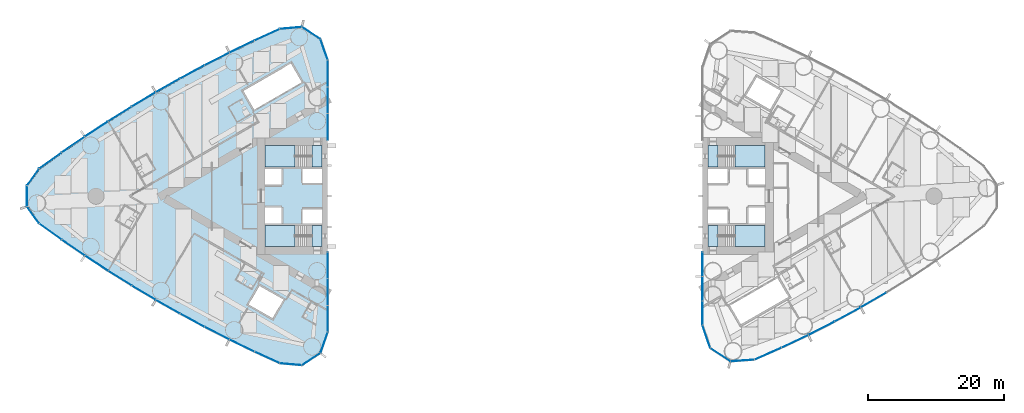
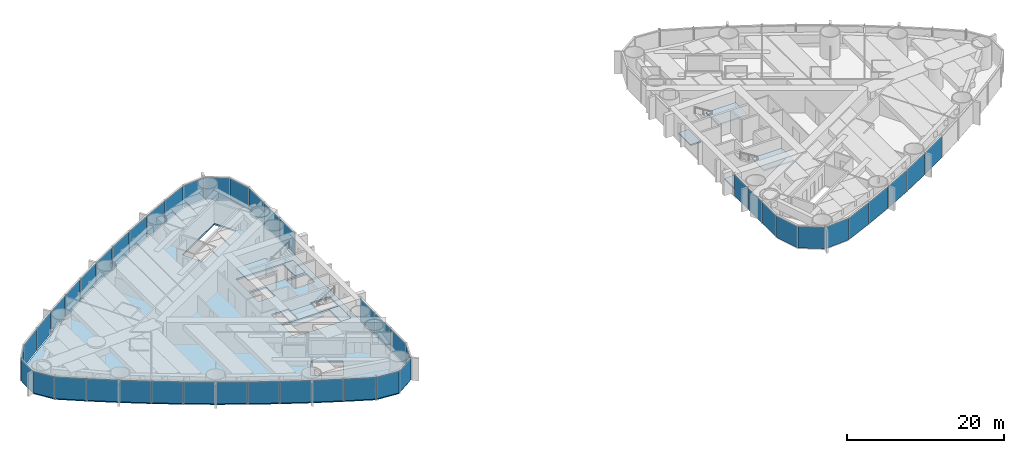
# One storey, part 9 of 18: 46 plates, 9 slabs, 6 elements without a shape of their own.
"""IFC4 building model written with IfcOpenShell, lengths in metres."""

from ifc_helpers import new_model, si_unit, direction, frame, origin, origin_2d, place, context, subcontext, project, spatial, polyline, rectangle, outline, extrude, material, layer, layer_set, type_object, element, aggregate, save


model = new_model("IFC4")

# Units and contexts
model_context = context("Model", 3, precision=1e-05, world=origin(), true_north=direction((0.0, 1.0)))
body_context = subcontext(model_context, "Body", "Model", "MODEL_VIEW")
ifc_project = project(units=[si_unit("LENGTHUNIT", "METRE"), si_unit("AREAUNIT", "SQUARE_METRE"), si_unit("VOLUMEUNIT", "CUBIC_METRE"), si_unit("PLANEANGLEUNIT", "RADIAN"), si_unit("MASSUNIT", "GRAM", prefix="KILO")], contexts=[model_context])

# Site, building, storey
site_placement = place(None, origin())
site = spatial("IfcSite", under=ifc_project, at=site_placement, CompositionType="ELEMENT")
building_placement = place(site_placement, origin())
building = spatial("IfcBuilding", under=site, at=building_placement, Name="Lancet Gate Hotel", CompositionType="ELEMENT")
storey_placement = place(building_placement, frame((0.0, 0.0, 139.60009765625)))
storey = spatial("IfcBuildingStorey", under=building, at=storey_placement, Name="L37", CompositionType="ELEMENT", Elevation=139.60009765625)

# Slab
ifc_material_1 = material(Name="Concrete C50/60", Category="concrete")
ifc_layer_1 = layer(ifc_material_1, 0.25)
ifc_layer_set_1 = layer_set([ifc_layer_1], Name="Floor slab 250")
slab_type_1 = type_object("IfcSlabType", Name="Floor slab 250", PredefinedType="FLOOR", material=ifc_layer_set_1)
slab_1_placement = place(storey_placement, frame((0.0, 0.0, -0.25)))
element("IfcSlab", 1, at=slab_1_placement, inside=storey, type_object=slab_type_1, Name="T1 L37 floor slab", PredefinedType="FLOOR", context=body_context, shape_type="SweptSolid", body=[
    extrude(outline(polyline([(-27.5, 8.60009765625), (-27.6201171875, 8.60009765625), (-27.6201171875, 19.950927734375), (-28.65966796875, 22.970947265625), (-31.320068359375, 24.69921875), (-34.5009765625, 24.421630859375), (-38.201416015625, 22.727783203125), (-41.8818359375, 20.946044921875), (-45.523193359375, 19.085693359375), (-49.12353515625, 17.147216796875), (-52.681396484375, 15.131591796875), (-56.195068359375, 13.0400390625), (-59.662841796875, 10.873291015625), (-63.0830078125, 8.63232421875), (-66.454345703125, 6.318115234375), (-69.76025390625, 3.94287109375), (-71.523193359375, 1.49755859375), (-71.523193359375, -1.49755859375), (-69.76025390625, -3.94287109375), (-66.454345703125, -6.318115234375), (-63.0830078125, -8.63232421875), (-59.662841796875, -10.873291015625), (-56.195068359375, -13.0400390625), (-52.681396484375, -15.131591796875), (-49.12353515625, -17.147216796875), (-45.523193359375, -19.085693359375), (-41.8818359375, -20.946044921875), (-38.201416015625, -22.727783203125), (-34.5009765625, -24.421630859375), (-31.320068359375, -24.69921875), (-28.65966796875, -22.970947265625), (-27.6201171875, -19.950927734375), (-27.6201171875, -8.60009765625), (-27.5, -8.60009765625), (-27.5, -8.199951171875), (-27.5, 8.199951171875), (-27.5, 8.60009765625)]), holes=[polyline([(-36.699951171875, 7.39990234375), (-36.699951171875, 4.300048828125), (-28.300048828125, 4.300048828125), (-28.300048828125, 7.39990234375), (-36.699951171875, 7.39990234375)]), polyline([(-28.300048828125, 4.0), (-31.199951171875, 4.0), (-31.199951171875, 1.89990234375), (-28.300048828125, 1.89990234375), (-28.300048828125, 4.0)]), polyline([(-34.25, 4.0), (-36.699951171875, 4.0), (-36.699951171875, 1.64990234375), (-34.25, 1.64990234375), (-34.25, 4.0)]), polyline([(-36.699951171875, -1.64990234375), (-36.699951171875, -4.0), (-34.25, -4.0), (-34.25, -1.64990234375), (-36.699951171875, -1.64990234375)]), polyline([(-28.300048828125, -1.89990234375), (-31.199951171875, -1.89990234375), (-31.199951171875, -4.0), (-28.300048828125, -4.0), (-28.300048828125, -1.89990234375)]), polyline([(-28.300048828125, -4.300048828125), (-36.699951171875, -4.300048828125), (-36.699951171875, -7.39990234375), (-28.300048828125, -7.39990234375), (-28.300048828125, -4.300048828125)]), polyline([(-31.2900390625, 16.73095703125), (-32.889892578125, 19.501953125), (-39.904052734375, 15.451904296875), (-38.303955078125, 12.680908203125), (-31.2900390625, 16.73095703125)]), polyline([(-33.97412109375, -15.180908203125), (-37.52490234375, -13.131103515625), (-39.125, -15.902099609375), (-35.573974609375, -17.951904296875), (-33.97412109375, -15.180908203125)])]), origin(), (0.0, 0.0, 1.0), 0.25),
])

# Stair, slabs
ifc_material_2 = material(Name="Exit stair 20 risers 1500")
stair_type = type_object("IfcStairType", Name="Exit stair 20 risers 1500", PredefinedType="HALF_TURN_STAIR", material=ifc_material_2)
stair_1_placement = place(storey_placement, origin())
stair_1 = element("IfcStair", 2, at=stair_1_placement, inside=storey, type_object=stair_type, Name="T1 stair 1 L37", PredefinedType="HALF_TURN_STAIR")
ifc_material_3 = material(Name="Concrete C40/50", Category="concrete")
ifc_layer_2 = layer(ifc_material_3, 0.199951171875)
ifc_layer_set_2 = layer_set([ifc_layer_2], Name="Stair landing 200")
slab_type_2 = type_object("IfcSlabType", Name="Stair landing 200", PredefinedType="LANDING", material=ifc_layer_set_2)
slab_2_placement = place(storey_placement, frame((0.0, 0.0, -0.2001953125)))
slab_2 = element("IfcSlab", 3, at=slab_2_placement, type_object=slab_type_2, Name="ST1 landing 1", PredefinedType="LANDING", context=body_context, shape_type="SweptSolid", body=[
    extrude(outline(polyline([(-28.300048828125, 7.39990234375), (-29.800048828125, 7.39990234375), (-29.800048828125, 4.300048828125), (-28.300048828125, 4.300048828125), (-28.300048828125, 7.39990234375)])), origin(), (0.0, 0.0, 1.0), 0.2001953125),
])
slab_3_placement = place(storey_placement, frame((0.0, 0.0, 1.5498046875)))
slab_3 = element("IfcSlab", 4, at=slab_3_placement, type_object=slab_type_2, Name="ST1 landing 2", PredefinedType="LANDING", context=body_context, shape_type="SweptSolid", body=[
    extrude(outline(polyline([(-32.320068359375, 7.39990234375), (-36.699951171875, 7.39990234375), (-36.699951171875, 4.300048828125), (-32.320068359375, 4.300048828125), (-32.320068359375, 7.39990234375)])), origin(), (0.0, 0.0, 1.0), 0.2001953125),
])
aggregate(stair_1, [slab_2, slab_3])

stair_2_placement = place(storey_placement, origin())
stair_2 = element("IfcStair", 5, at=stair_2_placement, inside=storey, type_object=stair_type, Name="T1 stair 2 L37", PredefinedType="HALF_TURN_STAIR")
slab_4_placement = place(storey_placement, frame((0.0, 0.0, -0.2001953125)))
slab_4 = element("IfcSlab", 6, at=slab_4_placement, type_object=slab_type_2, Name="ST2 landing 1", PredefinedType="LANDING", context=body_context, shape_type="SweptSolid", body=[
    extrude(outline(polyline([(-28.300048828125, -4.300048828125), (-29.800048828125, -4.300048828125), (-29.800048828125, -7.39990234375), (-28.300048828125, -7.39990234375), (-28.300048828125, -4.300048828125)])), origin(), (0.0, 0.0, 1.0), 0.2001953125),
])
slab_5_placement = place(storey_placement, frame((0.0, 0.0, 1.5498046875)))
slab_5 = element("IfcSlab", 7, at=slab_5_placement, type_object=slab_type_2, Name="ST2 landing 2", PredefinedType="LANDING", context=body_context, shape_type="SweptSolid", body=[
    extrude(outline(polyline([(-32.320068359375, -4.300048828125), (-36.699951171875, -4.300048828125), (-36.699951171875, -7.39990234375), (-32.320068359375, -7.39990234375), (-32.320068359375, -4.300048828125)])), origin(), (0.0, 0.0, 1.0), 0.2001953125),
])
aggregate(stair_2, [slab_4, slab_5])

stair_3_placement = place(storey_placement, origin())
stair_3 = element("IfcStair", 8, at=stair_3_placement, inside=storey, type_object=stair_type, Name="T2 stair 1 L37", PredefinedType="HALF_TURN_STAIR")
slab_6_placement = place(storey_placement, frame((0.0, 0.0, -0.2001953125)))
slab_6 = element("IfcSlab", 9, at=slab_6_placement, type_object=slab_type_2, Name="ST3 landing 1", PredefinedType="LANDING", context=body_context, shape_type="SweptSolid", body=[
    extrude(outline(polyline([(28.300048828125, -7.39990234375), (29.800048828125, -7.39990234375), (29.800048828125, -4.300048828125), (28.300048828125, -4.300048828125), (28.300048828125, -7.39990234375)])), origin(), (0.0, 0.0, 1.0), 0.2001953125),
])
slab_7_placement = place(storey_placement, frame((0.0, 0.0, 1.5498046875)))
slab_7 = element("IfcSlab", 10, at=slab_7_placement, type_object=slab_type_2, Name="ST3 landing 2", PredefinedType="LANDING", context=body_context, shape_type="SweptSolid", body=[
    extrude(outline(polyline([(32.320068359375, -7.39990234375), (36.699951171875, -7.39990234375), (36.699951171875, -4.300048828125), (32.320068359375, -4.300048828125), (32.320068359375, -7.39990234375)])), origin(), (0.0, 0.0, 1.0), 0.2001953125),
])
aggregate(stair_3, [slab_6, slab_7])

stair_4_placement = place(storey_placement, origin())
stair_4 = element("IfcStair", 11, at=stair_4_placement, inside=storey, type_object=stair_type, Name="T2 stair 2 L37", PredefinedType="HALF_TURN_STAIR")
slab_8_placement = place(storey_placement, frame((0.0, 0.0, -0.2001953125)))
slab_8 = element("IfcSlab", 12, at=slab_8_placement, type_object=slab_type_2, Name="ST4 landing 1", PredefinedType="LANDING", context=body_context, shape_type="SweptSolid", body=[
    extrude(outline(polyline([(28.300048828125, 4.300048828125), (29.800048828125, 4.300048828125), (29.800048828125, 7.39990234375), (28.300048828125, 7.39990234375), (28.300048828125, 4.300048828125)])), origin(), (0.0, 0.0, 1.0), 0.2001953125),
])
slab_9_placement = place(storey_placement, frame((0.0, 0.0, 1.5498046875)))
slab_9 = element("IfcSlab", 13, at=slab_9_placement, type_object=slab_type_2, Name="ST4 landing 2", PredefinedType="LANDING", context=body_context, shape_type="SweptSolid", body=[
    extrude(outline(polyline([(32.320068359375, 4.300048828125), (36.699951171875, 4.300048828125), (36.699951171875, 7.39990234375), (32.320068359375, 7.39990234375), (32.320068359375, 4.300048828125)])), origin(), (0.0, 0.0, 1.0), 0.2001953125),
])
aggregate(stair_4, [slab_8, slab_9])

# Curtain wall, plates
ifc_material_4 = material(Name="Aluminium curtain wall", Category="aluminium")
curtain_wall_type = type_object("IfcCurtainWallType", Name="Tower unitised curtain wall", PredefinedType="USERDEFINED", material=ifc_material_4)
curtain_wall_1_placement = place(storey_placement, origin())
curtain_wall_1 = element("IfcCurtainWall", 14, at=curtain_wall_1_placement, inside=storey, type_object=curtain_wall_type, Name="T1 L37 curtain wall 1", ObjectType="UNITISED CURTAIN WALL", PredefinedType="USERDEFINED")
ifc_material_5 = material(Name="Glass double glazed unit 8-16-6", Category="glass")
ifc_layer_3 = layer(ifc_material_5, 0.030029296875)
ifc_layer_set_3 = layer_set([ifc_layer_3], Name="Vision panel double glazed")
plate_type = type_object("IfcPlateType", Name="Vision panel double glazed", PredefinedType="CURTAIN_PANEL", material=ifc_layer_set_3)
plate_1_placement = place(storey_placement, frame((-27.5, 10.161865234375, -0.000244140625), z_axis=(0.0, 0.0, 1.0), x_axis=(0.0, 1.0, 0.0)))
plate_1 = element("IfcPlate", 15, at=plate_1_placement, type_object=plate_type, Name="T1 L37 curtain wall 1 panel 1", PredefinedType="CURTAIN_PANEL", context=body_context, shape_type="SweptSolid", body=[
    extrude(rectangle(XDim=3.858642578125, YDim=0.030029296875, at=origin_2d()), origin(), (0.0, 0.0, 1.0), 3.35009765625),
])
plate_2_placement = place(storey_placement, frame((-27.5, 14.08544921875, -0.000244140625), z_axis=(0.0, 0.0, 1.0), x_axis=(0.0, 1.0, 0.0)))
plate_2 = element("IfcPlate", 16, at=plate_2_placement, type_object=plate_type, Name="T1 L37 curtain wall 1 panel 2", PredefinedType="CURTAIN_PANEL", context=body_context, shape_type="SweptSolid", body=[
    extrude(rectangle(XDim=3.858642578125, YDim=0.030029296875, at=origin_2d()), origin(), (0.0, 0.0, 1.0), 3.35009765625),
])
plate_3_placement = place(storey_placement, frame((-27.5, 18.00927734375, -0.000244140625), z_axis=(0.0, 0.0, 1.0), x_axis=(0.0, 1.0, 0.0)))
plate_3 = element("IfcPlate", 17, at=plate_3_placement, type_object=plate_type, Name="T1 L37 curtain wall 1 panel 3", PredefinedType="CURTAIN_PANEL", context=body_context, shape_type="SweptSolid", body=[
    extrude(rectangle(XDim=3.858642578125, YDim=0.030029296875, at=origin_2d()), origin(), (0.0, 0.0, 1.0), 3.35009765625),
])
plate_4_placement = place(storey_placement, frame((-28.02978515625, 21.510009765625, -0.000244140625), z_axis=(0.0, 0.0, 1.0), x_axis=(-0.325515820766, 0.945536593914, 0.0)))
plate_4 = element("IfcPlate", 18, at=plate_4_placement, type_object=plate_type, Name="T1 L37 curtain wall 1 panel 4", PredefinedType="CURTAIN_PANEL", context=body_context, shape_type="SweptSolid", body=[
    extrude(rectangle(XDim=3.190185546875, YDim=0.030029296875, at=origin_2d()), origin(), (0.0, 0.0, 1.0), 3.35009765625),
])
plate_5_placement = place(storey_placement, frame((-29.924560546875, 23.935546875, -0.000244140625), z_axis=(0.0, 0.0, 1.0), x_axis=(-0.838580121261, 0.544778285385, 0.0)))
plate_5 = element("IfcPlate", 19, at=plate_5_placement, type_object=plate_type, Name="T1 L37 curtain wall 1 panel 5", PredefinedType="CURTAIN_PANEL", context=body_context, shape_type="SweptSolid", body=[
    extrude(rectangle(XDim=3.190185546875, YDim=0.030029296875, at=origin_2d()), origin(), (0.0, 0.0, 1.0), 3.35009765625),
])
plate_6_placement = place(storey_placement, frame((-32.91064453125, 24.680908203125, -0.000244140625), z_axis=(0.0, 0.0, 1.0), x_axis=(-0.996218779711, -0.086880049207, 0.0)))
plate_6 = element("IfcPlate", 20, at=plate_6_placement, type_object=plate_type, Name="T1 L37 curtain wall 1 panel 6", PredefinedType="CURTAIN_PANEL", context=body_context, shape_type="SweptSolid", body=[
    extrude(rectangle(XDim=3.190185546875, YDim=0.030029296875, at=origin_2d()), origin(), (0.0, 0.0, 1.0), 3.35009765625),
])
plate_7_placement = place(storey_placement, frame((-36.392333984375, 23.68798828125, -0.000244140625), z_axis=(0.0, 0.0, 1.0), x_axis=(-0.909252721243, -0.416244506166, 0.0)))
plate_7 = element("IfcPlate", 21, at=plate_7_placement, type_object=plate_type, Name="T1 L37 curtain wall 1 panel 7", PredefinedType="CURTAIN_PANEL", context=body_context, shape_type="SweptSolid", body=[
    extrude(rectangle(XDim=4.026611328125, YDim=0.030029296875, at=origin_2d()), origin(), (0.0, 0.0, 1.0), 3.35009765625),
])
plate_8_placement = place(storey_placement, frame((-40.093994140625, 21.945068359375, -0.000244140625), z_axis=(0.0, 0.0, 1.0), x_axis=(-0.900081672047, -0.435721222395, 0.0)))
plate_8 = element("IfcPlate", 22, at=plate_8_placement, type_object=plate_type, Name="T1 L37 curtain wall 1 panel 8", PredefinedType="CURTAIN_PANEL", context=body_context, shape_type="SweptSolid", body=[
    extrude(rectangle(XDim=4.026611328125, YDim=0.030029296875, at=origin_2d()), origin(), (0.0, 0.0, 1.0), 3.35009765625),
])
plate_9_placement = place(storey_placement, frame((-43.757080078125, 20.122802734375, -0.000244140625), z_axis=(0.0, 0.0, 1.0), x_axis=(-0.890493479451, -0.45499600334, 0.0)))
plate_9 = element("IfcPlate", 23, at=plate_9_placement, type_object=plate_type, Name="T1 L37 curtain wall 1 panel 9", PredefinedType="CURTAIN_PANEL", context=body_context, shape_type="SweptSolid", body=[
    extrude(rectangle(XDim=4.026611328125, YDim=0.030029296875, at=origin_2d()), origin(), (0.0, 0.0, 1.0), 3.35009765625),
])
plate_10_placement = place(storey_placement, frame((-47.380126953125, 18.221923828125, -0.000244140625), z_axis=(0.0, 0.0, 1.0), x_axis=(-0.880492587094, -0.474059916121, 0.0)))
plate_10 = element("IfcPlate", 24, at=plate_10_placement, type_object=plate_type, Name="T1 L37 curtain wall 1 panel 10", PredefinedType="CURTAIN_PANEL", context=body_context, shape_type="SweptSolid", body=[
    extrude(rectangle(XDim=4.026611328125, YDim=0.030029296875, at=origin_2d()), origin(), (0.0, 0.0, 1.0), 3.35009765625),
])
plate_11_placement = place(storey_placement, frame((-50.961669921875, 16.243896484375, -0.000244140625), z_axis=(0.0, 0.0, 1.0), x_axis=(-0.870083629903, -0.49290412554, 0.0)))
plate_11 = element("IfcPlate", 25, at=plate_11_placement, type_object=plate_type, Name="T1 L37 curtain wall 1 panel 11", PredefinedType="CURTAIN_PANEL", context=body_context, shape_type="SweptSolid", body=[
    extrude(rectangle(XDim=4.026611328125, YDim=0.030029296875, at=origin_2d()), origin(), (0.0, 0.0, 1.0), 3.35009765625),
])
plate_12_placement = place(storey_placement, frame((-54.49951171875, 14.18896484375, -0.000244140625), z_axis=(0.0, 0.0, 1.0), x_axis=(-0.859271431916, -0.511519898238, 0.0)))
plate_12 = element("IfcPlate", 26, at=plate_12_placement, type_object=plate_type, Name="T1 L37 curtain wall 1 panel 12", PredefinedType="CURTAIN_PANEL", context=body_context, shape_type="SweptSolid", body=[
    extrude(rectangle(XDim=4.026611328125, YDim=0.030029296875, at=origin_2d()), origin(), (0.0, 0.0, 1.0), 3.35009765625),
])
plate_13_placement = place(storey_placement, frame((-57.992431640625, 12.058349609375, -0.000244140625), z_axis=(0.0, 0.0, 1.0), x_axis=(-0.848061004052, -0.529898606722, 0.0)))
plate_13 = element("IfcPlate", 27, at=plate_13_placement, type_object=plate_type, Name="T1 L37 curtain wall 1 panel 13", PredefinedType="CURTAIN_PANEL", context=body_context, shape_type="SweptSolid", body=[
    extrude(rectangle(XDim=4.026611328125, YDim=0.030029296875, at=origin_2d()), origin(), (0.0, 0.0, 1.0), 3.35009765625),
])
plate_14_placement = place(storey_placement, frame((-61.438720703125, 9.85302734375, -0.000244140625), z_axis=(0.0, 0.0, 1.0), x_axis=(-0.836457541791, -0.54803173337, 0.0)))
plate_14 = element("IfcPlate", 28, at=plate_14_placement, type_object=plate_type, Name="T1 L37 curtain wall 1 panel 14", PredefinedType="CURTAIN_PANEL", context=body_context, shape_type="SweptSolid", body=[
    extrude(rectangle(XDim=4.026611328125, YDim=0.030029296875, at=origin_2d()), origin(), (0.0, 0.0, 1.0), 3.35009765625),
])
plate_15_placement = place(storey_placement, frame((-64.836669921875, 7.57421875, -0.000244140625), z_axis=(0.0, 0.0, 1.0), x_axis=(-0.824466422775, -0.565910874357, 0.0)))
plate_15 = element("IfcPlate", 29, at=plate_15_placement, type_object=plate_type, Name="T1 L37 curtain wall 1 panel 15", PredefinedType="CURTAIN_PANEL", context=body_context, shape_type="SweptSolid", body=[
    extrude(rectangle(XDim=4.026611328125, YDim=0.030029296875, at=origin_2d()), origin(), (0.0, 0.0, 1.0), 3.35009765625),
])
plate_16_placement = place(storey_placement, frame((-68.184814453125, 5.22265625, -0.000244140625), z_axis=(0.0, 0.0, 1.0), x_axis=(-0.812093204276, -0.583527743615, 0.0)))
plate_16 = element("IfcPlate", 30, at=plate_16_placement, type_object=plate_type, Name="T1 L37 curtain wall 1 panel 16", PredefinedType="CURTAIN_PANEL", context=body_context, shape_type="SweptSolid", body=[
    extrude(rectangle(XDim=4.026611328125, YDim=0.030029296875, at=origin_2d()), origin(), (0.0, 0.0, 1.0), 3.35009765625),
])
plate_17_placement = place(storey_placement, frame((-70.74462890625, 2.782470703125, -0.000244140625), z_axis=(0.0, 0.0, 1.0), x_axis=(-0.584808645706, -0.811171281486, 0.0)))
plate_17 = element("IfcPlate", 31, at=plate_17_placement, type_object=plate_type, Name="T1 L37 curtain wall 1 panel 17", PredefinedType="CURTAIN_PANEL", context=body_context, shape_type="SweptSolid", body=[
    extrude(rectangle(XDim=3.0078125, YDim=0.030029296875, at=origin_2d()), origin(), (0.0, 0.0, 1.0), 3.35009765625),
])
plate_18_placement = place(storey_placement, frame((-71.64306640625, 0.0, -0.000244140625), z_axis=(0.0, 0.0, 1.0), x_axis=(0.0, -1.0, 0.0)))
plate_18 = element("IfcPlate", 32, at=plate_18_placement, type_object=plate_type, Name="T1 L37 curtain wall 1 panel 18", PredefinedType="CURTAIN_PANEL", context=body_context, shape_type="SweptSolid", body=[
    extrude(rectangle(XDim=3.0078125, YDim=0.030029296875, at=origin_2d()), origin(), (0.0, 0.0, 1.0), 3.35009765625),
])
plate_19_placement = place(storey_placement, frame((-70.74462890625, -2.782470703125, -0.000244140625), z_axis=(0.0, 0.0, 1.0), x_axis=(0.584808645706, -0.811171281486, 0.0)))
plate_19 = element("IfcPlate", 33, at=plate_19_placement, type_object=plate_type, Name="T1 L37 curtain wall 1 panel 19", PredefinedType="CURTAIN_PANEL", context=body_context, shape_type="SweptSolid", body=[
    extrude(rectangle(XDim=3.0078125, YDim=0.030029296875, at=origin_2d()), origin(), (0.0, 0.0, 1.0), 3.35009765625),
])
plate_20_placement = place(storey_placement, frame((-68.184814453125, -5.22265625, -0.000244140625), z_axis=(0.0, 0.0, 1.0), x_axis=(0.812093204276, -0.583527743615, 0.0)))
plate_20 = element("IfcPlate", 34, at=plate_20_placement, type_object=plate_type, Name="T1 L37 curtain wall 1 panel 20", PredefinedType="CURTAIN_PANEL", context=body_context, shape_type="SweptSolid", body=[
    extrude(rectangle(XDim=4.026611328125, YDim=0.030029296875, at=origin_2d()), origin(), (0.0, 0.0, 1.0), 3.35009765625),
])
plate_21_placement = place(storey_placement, frame((-64.836669921875, -7.57421875, -0.000244140625), z_axis=(0.0, 0.0, 1.0), x_axis=(0.824466422775, -0.565910874357, 0.0)))
plate_21 = element("IfcPlate", 35, at=plate_21_placement, type_object=plate_type, Name="T1 L37 curtain wall 1 panel 21", PredefinedType="CURTAIN_PANEL", context=body_context, shape_type="SweptSolid", body=[
    extrude(rectangle(XDim=4.026611328125, YDim=0.030029296875, at=origin_2d()), origin(), (0.0, 0.0, 1.0), 3.35009765625),
])
plate_22_placement = place(storey_placement, frame((-61.438720703125, -9.85302734375, -0.000244140625), z_axis=(0.0, 0.0, 1.0), x_axis=(0.836457541791, -0.54803173337, 0.0)))
plate_22 = element("IfcPlate", 36, at=plate_22_placement, type_object=plate_type, Name="T1 L37 curtain wall 1 panel 22", PredefinedType="CURTAIN_PANEL", context=body_context, shape_type="SweptSolid", body=[
    extrude(rectangle(XDim=4.026611328125, YDim=0.030029296875, at=origin_2d()), origin(), (0.0, 0.0, 1.0), 3.35009765625),
])
plate_23_placement = place(storey_placement, frame((-57.992431640625, -12.058349609375, -0.000244140625), z_axis=(0.0, 0.0, 1.0), x_axis=(0.848061004052, -0.529898606722, 0.0)))
plate_23 = element("IfcPlate", 37, at=plate_23_placement, type_object=plate_type, Name="T1 L37 curtain wall 1 panel 23", PredefinedType="CURTAIN_PANEL", context=body_context, shape_type="SweptSolid", body=[
    extrude(rectangle(XDim=4.026611328125, YDim=0.030029296875, at=origin_2d()), origin(), (0.0, 0.0, 1.0), 3.35009765625),
])
plate_24_placement = place(storey_placement, frame((-54.49951171875, -14.18896484375, -0.000244140625), z_axis=(0.0, 0.0, 1.0), x_axis=(0.859271431916, -0.511519898238, 0.0)))
plate_24 = element("IfcPlate", 38, at=plate_24_placement, type_object=plate_type, Name="T1 L37 curtain wall 1 panel 24", PredefinedType="CURTAIN_PANEL", context=body_context, shape_type="SweptSolid", body=[
    extrude(rectangle(XDim=4.026611328125, YDim=0.030029296875, at=origin_2d()), origin(), (0.0, 0.0, 1.0), 3.35009765625),
])
plate_25_placement = place(storey_placement, frame((-50.961669921875, -16.243896484375, -0.000244140625), z_axis=(0.0, 0.0, 1.0), x_axis=(0.870083629903, -0.49290412554, 0.0)))
plate_25 = element("IfcPlate", 39, at=plate_25_placement, type_object=plate_type, Name="T1 L37 curtain wall 1 panel 25", PredefinedType="CURTAIN_PANEL", context=body_context, shape_type="SweptSolid", body=[
    extrude(rectangle(XDim=4.026611328125, YDim=0.030029296875, at=origin_2d()), origin(), (0.0, 0.0, 1.0), 3.35009765625),
])
plate_26_placement = place(storey_placement, frame((-47.380126953125, -18.221923828125, -0.000244140625), z_axis=(0.0, 0.0, 1.0), x_axis=(0.880492587094, -0.474059916121, 0.0)))
plate_26 = element("IfcPlate", 40, at=plate_26_placement, type_object=plate_type, Name="T1 L37 curtain wall 1 panel 26", PredefinedType="CURTAIN_PANEL", context=body_context, shape_type="SweptSolid", body=[
    extrude(rectangle(XDim=4.026611328125, YDim=0.030029296875, at=origin_2d()), origin(), (0.0, 0.0, 1.0), 3.35009765625),
])
plate_27_placement = place(storey_placement, frame((-43.757080078125, -20.122802734375, -0.000244140625), z_axis=(0.0, 0.0, 1.0), x_axis=(0.890493479451, -0.45499600334, 0.0)))
plate_27 = element("IfcPlate", 41, at=plate_27_placement, type_object=plate_type, Name="T1 L37 curtain wall 1 panel 27", PredefinedType="CURTAIN_PANEL", context=body_context, shape_type="SweptSolid", body=[
    extrude(rectangle(XDim=4.026611328125, YDim=0.030029296875, at=origin_2d()), origin(), (0.0, 0.0, 1.0), 3.35009765625),
])
plate_28_placement = place(storey_placement, frame((-40.093994140625, -21.945068359375, -0.000244140625), z_axis=(0.0, 0.0, 1.0), x_axis=(0.900081672047, -0.435721222395, 0.0)))
plate_28 = element("IfcPlate", 42, at=plate_28_placement, type_object=plate_type, Name="T1 L37 curtain wall 1 panel 28", PredefinedType="CURTAIN_PANEL", context=body_context, shape_type="SweptSolid", body=[
    extrude(rectangle(XDim=4.026611328125, YDim=0.030029296875, at=origin_2d()), origin(), (0.0, 0.0, 1.0), 3.35009765625),
])
plate_29_placement = place(storey_placement, frame((-36.392333984375, -23.68798828125, -0.000244140625), z_axis=(0.0, 0.0, 1.0), x_axis=(0.909252721243, -0.416244506166, 0.0)))
plate_29 = element("IfcPlate", 43, at=plate_29_placement, type_object=plate_type, Name="T1 L37 curtain wall 1 panel 29", PredefinedType="CURTAIN_PANEL", context=body_context, shape_type="SweptSolid", body=[
    extrude(rectangle(XDim=4.026611328125, YDim=0.030029296875, at=origin_2d()), origin(), (0.0, 0.0, 1.0), 3.35009765625),
])
plate_30_placement = place(storey_placement, frame((-32.91064453125, -24.680908203125, -0.000244140625), z_axis=(0.0, 0.0, 1.0), x_axis=(0.996218779711, -0.086880049207, 0.0)))
plate_30 = element("IfcPlate", 44, at=plate_30_placement, type_object=plate_type, Name="T1 L37 curtain wall 1 panel 30", PredefinedType="CURTAIN_PANEL", context=body_context, shape_type="SweptSolid", body=[
    extrude(rectangle(XDim=3.190185546875, YDim=0.030029296875, at=origin_2d()), origin(), (0.0, 0.0, 1.0), 3.35009765625),
])
plate_31_placement = place(storey_placement, frame((-29.924560546875, -23.935546875, -0.000244140625), z_axis=(0.0, 0.0, 1.0), x_axis=(0.838580121261, 0.544778285385, 0.0)))
plate_31 = element("IfcPlate", 45, at=plate_31_placement, type_object=plate_type, Name="T1 L37 curtain wall 1 panel 31", PredefinedType="CURTAIN_PANEL", context=body_context, shape_type="SweptSolid", body=[
    extrude(rectangle(XDim=3.190185546875, YDim=0.030029296875, at=origin_2d()), origin(), (0.0, 0.0, 1.0), 3.35009765625),
])
plate_32_placement = place(storey_placement, frame((-28.02978515625, -21.510009765625, -0.000244140625), z_axis=(0.0, 0.0, 1.0), x_axis=(0.325515820766, 0.945536593914, 0.0)))
plate_32 = element("IfcPlate", 46, at=plate_32_placement, type_object=plate_type, Name="T1 L37 curtain wall 1 panel 32", PredefinedType="CURTAIN_PANEL", context=body_context, shape_type="SweptSolid", body=[
    extrude(rectangle(XDim=3.190185546875, YDim=0.030029296875, at=origin_2d()), origin(), (0.0, 0.0, 1.0), 3.35009765625),
])
plate_33_placement = place(storey_placement, frame((-27.5, -18.00927734375, -0.000244140625), z_axis=(0.0, 0.0, 1.0), x_axis=(0.0, 1.0, 0.0)))
plate_33 = element("IfcPlate", 47, at=plate_33_placement, type_object=plate_type, Name="T1 L37 curtain wall 1 panel 33", PredefinedType="CURTAIN_PANEL", context=body_context, shape_type="SweptSolid", body=[
    extrude(rectangle(XDim=3.858642578125, YDim=0.030029296875, at=origin_2d()), origin(), (0.0, 0.0, 1.0), 3.35009765625),
])
plate_34_placement = place(storey_placement, frame((-27.5, -14.08544921875, -0.000244140625), z_axis=(0.0, 0.0, 1.0), x_axis=(0.0, 1.0, 0.0)))
plate_34 = element("IfcPlate", 48, at=plate_34_placement, type_object=plate_type, Name="T1 L37 curtain wall 1 panel 34", PredefinedType="CURTAIN_PANEL", context=body_context, shape_type="SweptSolid", body=[
    extrude(rectangle(XDim=3.858642578125, YDim=0.030029296875, at=origin_2d()), origin(), (0.0, 0.0, 1.0), 3.35009765625),
])
plate_35_placement = place(storey_placement, frame((-27.5, -10.161865234375, -0.000244140625), z_axis=(0.0, 0.0, 1.0), x_axis=(0.0, 1.0, 0.0)))
plate_35 = element("IfcPlate", 49, at=plate_35_placement, type_object=plate_type, Name="T1 L37 curtain wall 1 panel 35", PredefinedType="CURTAIN_PANEL", context=body_context, shape_type="SweptSolid", body=[
    extrude(rectangle(XDim=3.858642578125, YDim=0.030029296875, at=origin_2d()), origin(), (0.0, 0.0, 1.0), 3.35009765625),
])
aggregate(curtain_wall_1, [plate_1, plate_2, plate_3, plate_4, plate_5, plate_6, plate_7, plate_8, plate_9, plate_10, plate_11, plate_12, plate_13, plate_14, plate_15, plate_16, plate_17, plate_18, plate_19, plate_20, plate_21, plate_22, plate_23, plate_24, plate_25, plate_26, plate_27, plate_28, plate_29, plate_30, plate_31, plate_32, plate_33, plate_34, plate_35])

curtain_wall_2_placement = place(storey_placement, origin())
curtain_wall_2 = element("IfcCurtainWall", 50, at=curtain_wall_2_placement, inside=storey, type_object=curtain_wall_type, Name="T2 L37 curtain wall 1", ObjectType="UNITISED CURTAIN WALL", PredefinedType="USERDEFINED")
plate_36_placement = place(storey_placement, frame((27.5, -9.990478515625, -0.000244140625), z_axis=(0.0, 0.0, 1.0), x_axis=(0.0, -1.0, 0.0)))
plate_36 = element("IfcPlate", 51, at=plate_36_placement, type_object=plate_type, Name="T2 L37 curtain wall 1 panel 1", PredefinedType="CURTAIN_PANEL", context=body_context, shape_type="SweptSolid", body=[
    extrude(rectangle(XDim=3.515869140625, YDim=0.030029296875, at=origin_2d()), origin(), (0.0, 0.0, 1.0), 3.35009765625),
])
plate_37_placement = place(storey_placement, frame((27.5, -13.571533203125, -0.000244140625), z_axis=(0.0, 0.0, 1.0), x_axis=(0.0, -1.0, 0.0)))
plate_37 = element("IfcPlate", 52, at=plate_37_placement, type_object=plate_type, Name="T2 L37 curtain wall 1 panel 2", PredefinedType="CURTAIN_PANEL", context=body_context, shape_type="SweptSolid", body=[
    extrude(rectangle(XDim=3.515869140625, YDim=0.030029296875, at=origin_2d()), origin(), (0.0, 0.0, 1.0), 3.35009765625),
])
plate_38_placement = place(storey_placement, frame((27.5, -17.15234375, -0.000244140625), z_axis=(0.0, 0.0, 1.0), x_axis=(0.0, -1.0, 0.0)))
plate_38 = element("IfcPlate", 53, at=plate_38_placement, type_object=plate_type, Name="T2 L37 curtain wall 1 panel 3", PredefinedType="CURTAIN_PANEL", context=body_context, shape_type="SweptSolid", body=[
    extrude(rectangle(XDim=3.515869140625, YDim=0.030029296875, at=origin_2d()), origin(), (0.0, 0.0, 1.0), 3.35009765625),
])
plate_39_placement = place(storey_placement, frame((28.072265625, -20.622314453125, -0.000244140625), z_axis=(0.0, 0.0, 1.0), x_axis=(0.32257568891, -0.946543673015, 0.0)))
plate_39 = element("IfcPlate", 54, at=plate_39_placement, type_object=plate_type, Name="T2 L37 curtain wall 1 panel 4", PredefinedType="CURTAIN_PANEL", context=body_context, shape_type="SweptSolid", body=[
    extrude(rectangle(XDim=3.4833984375, YDim=0.030029296875, at=origin_2d()), origin(), (0.0, 0.0, 1.0), 3.35009765625),
])
plate_40_placement = place(storey_placement, frame((30.123291015625, -23.281982421875, -0.000244140625), z_axis=(0.0, 0.0, 1.0), x_axis=(0.833464516611, -0.552572981198, 0.0)))
plate_40 = element("IfcPlate", 55, at=plate_40_placement, type_object=plate_type, Name="T2 L37 curtain wall 1 panel 5", PredefinedType="CURTAIN_PANEL", context=body_context, shape_type="SweptSolid", body=[
    extrude(rectangle(XDim=3.4833984375, YDim=0.030029296875, at=origin_2d()), origin(), (0.0, 0.0, 1.0), 3.35009765625),
])
plate_41_placement = place(storey_placement, frame((33.37158203125, -24.1357421875, -0.000244140625), z_axis=(0.0, 0.0, 1.0), x_axis=(0.997448492935, 0.07138980278, 0.0)))
plate_41 = element("IfcPlate", 56, at=plate_41_placement, type_object=plate_type, Name="T2 L37 curtain wall 1 panel 6", PredefinedType="CURTAIN_PANEL", context=body_context, shape_type="SweptSolid", body=[
    extrude(rectangle(XDim=3.4833984375, YDim=0.030029296875, at=origin_2d()), origin(), (0.0, 0.0, 1.0), 3.35009765625),
])
plate_42_placement = place(storey_placement, frame((37.13134765625, -23.13427734375, -0.000244140625), z_axis=(0.0, 0.0, 1.0), x_axis=(0.915478658759, 0.40236653111, 0.0)))
plate_42 = element("IfcPlate", 57, at=plate_42_placement, type_object=plate_type, Name="T2 L37 curtain wall 1 panel 7", PredefinedType="CURTAIN_PANEL", context=body_context, shape_type="SweptSolid", body=[
    extrude(rectangle(XDim=4.2822265625, YDim=0.030029296875, at=origin_2d()), origin(), (0.0, 0.0, 1.0), 3.35009765625),
])
plate_43_placement = place(storey_placement, frame((41.08544921875, -21.3291015625, -0.000244140625), z_axis=(0.0, 0.0, 1.0), x_axis=(0.903683440096, 0.428201167789, 0.0)))
plate_43 = element("IfcPlate", 58, at=plate_43_placement, type_object=plate_type, Name="T2 L37 curtain wall 1 panel 8", PredefinedType="CURTAIN_PANEL", context=body_context, shape_type="SweptSolid", body=[
    extrude(rectangle(XDim=4.2822265625, YDim=0.030029296875, at=origin_2d()), origin(), (0.0, 0.0, 1.0), 3.35009765625),
])
plate_44_placement = place(storey_placement, frame((44.98681640625, -19.412109375, -0.000244140625), z_axis=(0.0, 0.0, 1.0), x_axis=(0.891159350462, 0.453690436403, 0.0)))
plate_44 = element("IfcPlate", 59, at=plate_44_placement, type_object=plate_type, Name="T2 L37 curtain wall 1 panel 9", PredefinedType="CURTAIN_PANEL", context=body_context, shape_type="SweptSolid", body=[
    extrude(rectangle(XDim=4.2822265625, YDim=0.030029296875, at=origin_2d()), origin(), (0.0, 0.0, 1.0), 3.35009765625),
])
plate_45_placement = place(storey_placement, frame((48.832275390625, -17.38525390625, -0.000244140625), z_axis=(0.0, 0.0, 1.0), x_axis=(0.877916491224, 0.478813778454, 0.0)))
plate_45 = element("IfcPlate", 60, at=plate_45_placement, type_object=plate_type, Name="T2 L37 curtain wall 1 panel 10", PredefinedType="CURTAIN_PANEL", context=body_context, shape_type="SweptSolid", body=[
    extrude(rectangle(XDim=4.2822265625, YDim=0.030029296875, at=origin_2d()), origin(), (0.0, 0.0, 1.0), 3.35009765625),
])
plate_46_placement = place(storey_placement, frame((52.618408203125, -15.249755859375, -0.000244140625), z_axis=(0.0, 0.0, 1.0), x_axis=(0.863965543499, 0.503550930538, 0.0)))
plate_46 = element("IfcPlate", 61, at=plate_46_placement, type_object=plate_type, Name="T2 L37 curtain wall 1 panel 11", PredefinedType="CURTAIN_PANEL", context=body_context, shape_type="SweptSolid", body=[
    extrude(rectangle(XDim=4.2822265625, YDim=0.030029296875, at=origin_2d()), origin(), (0.0, 0.0, 1.0), 3.35009765625),
])
aggregate(curtain_wall_2, [plate_36, plate_37, plate_38, plate_39, plate_40, plate_41, plate_42, plate_43, plate_44, plate_45, plate_46])

save(model, "model.ifc")
